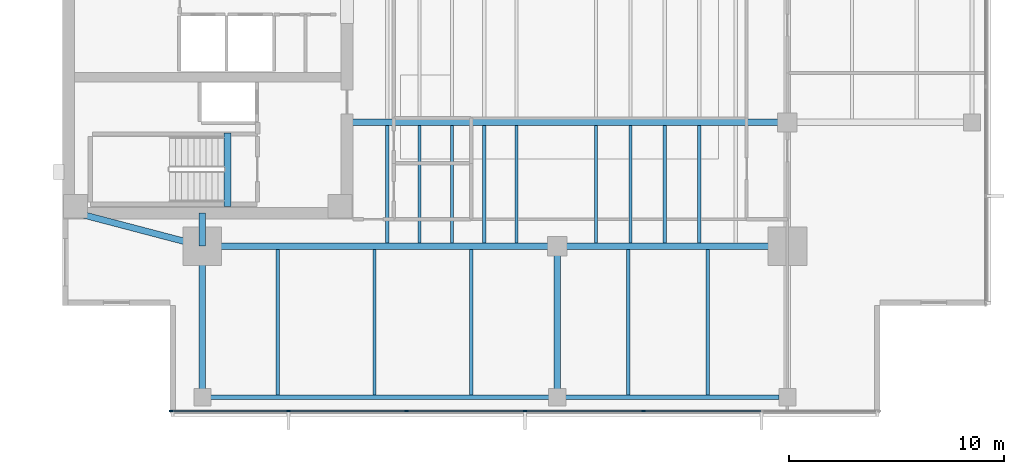
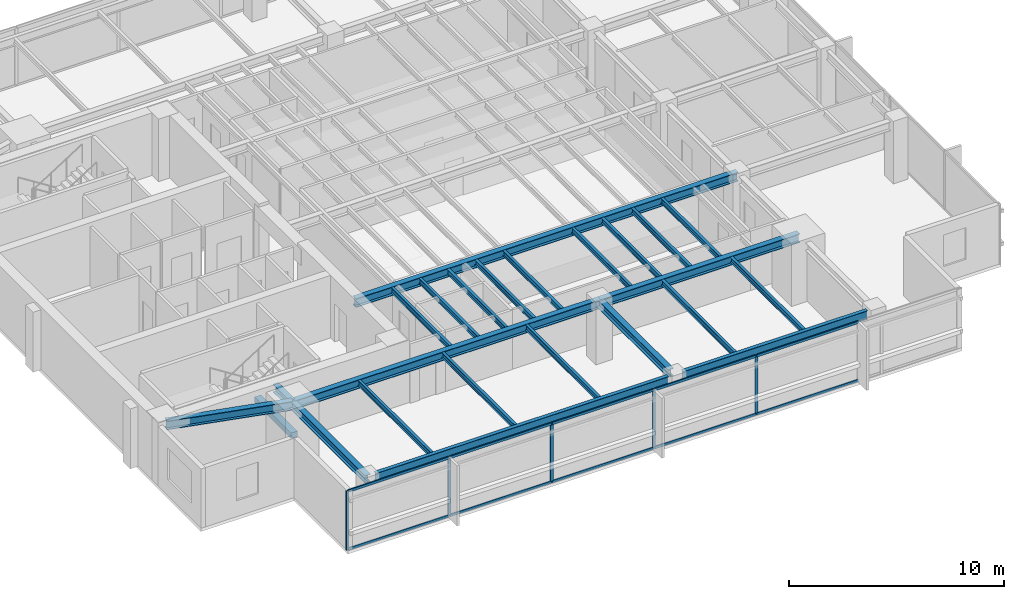
# One storey, part 2 of 14: 24 beams, 15 members, 1 element without a shape of its own.
"""IFC4 building model written with IfcOpenShell, lengths in metres."""

from ifc_helpers import new_model, si_unit, direction, frame, origin, origin_2d, place, context, subcontext, project, spatial, rectangle, i_section, extrude, material, layer, layer_set, material_profile, profile_set, type_object, element, aggregate, save


model = new_model("IFC4")

# Units and contexts
model_context = context("Model", 3, precision=1e-05, world=origin(), true_north=direction((0.0, 1.0)))
body_context = subcontext(model_context, "Body", "Model", "MODEL_VIEW")
ifc_project = project(units=[si_unit("LENGTHUNIT", "METRE"), si_unit("AREAUNIT", "SQUARE_METRE"), si_unit("VOLUMEUNIT", "CUBIC_METRE"), si_unit("PLANEANGLEUNIT", "RADIAN"), si_unit("MASSUNIT", "GRAM", prefix="KILO")], contexts=[model_context])

# Site, building, storey
site_placement = place(None, origin())
site = spatial("IfcSite", under=ifc_project, at=site_placement, CompositionType="ELEMENT")
building_placement = place(site_placement, origin())
building = spatial("IfcBuilding", under=site, at=building_placement, Name="Kinhvarn Gate Tower", CompositionType="ELEMENT")
storey_placement = place(building_placement, frame((0.0, 0.0, 202.25)))
storey = spatial("IfcBuildingStorey", under=building, at=storey_placement, Name="L53", CompositionType="ELEMENT", Elevation=202.25)

# Beam
ifc_material_1 = material(Name="Concrete C50/60", Category="concrete")
ifc_material_profile_1 = material_profile(ifc_material_1, rectangle(XDim=0.340087890625, YDim=0.320068359375, at=origin_2d()), Name="RC 340x320")
ifc_profile_set_1 = profile_set([ifc_material_profile_1], Name="Concrete C50/60")
beam_type_1 = type_object("IfcBeamType", Name="BM-LND-500", PredefinedType="BEAM", material=ifc_profile_set_1)
beam_1_placement = place(storey_placement, frame((12.1650390625, 14.60009765625, -0.159912109375), z_axis=(0.0, 1.0, 0.0), x_axis=(-1.0, 0.0, 0.0)))
element("IfcBeam", 1, at=beam_1_placement, inside=storey, type_object=beam_type_1, Name="Stair ST1 Landing Nosing Beam (L53)", PredefinedType="BEAM", context=body_context, shape_type="SweptSolid", body=[
    extrude(rectangle(XDim=0.340087890625, YDim=0.320068359375, at=origin_2d()), origin(), (0.0, 0.0, 1.0), 3.39990234375),
])

# Curtain wall, members
ifc_material_2 = material(Name="Anodised aluminium AW-6063", Category="aluminium")
ifc_layer = layer(ifc_material_2, 0.179931640625)
ifc_layer_set = layer_set([ifc_layer], Name="Anodised aluminium AW-6063")
curtain_wall_type = type_object("IfcCurtainWallType", Name="CW-SYS-3", PredefinedType="NOTDEFINED", material=ifc_layer_set)
curtain_wall_placement = place(storey_placement, origin())
curtain_wall = element("IfcCurtainWall", 2, at=curtain_wall_placement, inside=storey, type_object=curtain_wall_type, Name="Curtain Wall CW3 (L53)", PredefinedType="NOTDEFINED")
ifc_material_profile_2 = material_profile(ifc_material_2, rectangle(XDim=0.06494140625, YDim=0.159912109375, at=origin_2d()), Name="ALU 65x160")
ifc_profile_set_2 = profile_set([ifc_material_profile_2], Name="Anodised aluminium AW-6063")
member_type_1 = type_object("IfcMemberType", Name="CW-MUL-160", PredefinedType="MULLION", material=ifc_profile_set_2)
member_1_placement = place(storey_placement, frame((9.532470703125, 5.090087890625, 0.0), z_axis=(0.0, 0.0, 1.0), x_axis=(0.0, 1.0, 0.0)))
member_1 = element("IfcMember", 3, at=member_1_placement, type_object=member_type_1, Name="CW3 mullion 1", PredefinedType="MULLION", context=body_context, shape_type="SweptSolid", body=[
    extrude(rectangle(XDim=0.06494140625, YDim=0.159912109375, at=origin_2d()), origin(), (0.0, 0.0, 1.0), 3.3701171875),
])
member_2_placement = place(storey_placement, frame((15.0, 5.090087890625, 0.0), z_axis=(0.0, 0.0, 1.0), x_axis=(0.0, 1.0, 0.0)))
member_2 = element("IfcMember", 4, at=member_2_placement, type_object=member_type_1, Name="CW3 mullion 2", PredefinedType="MULLION", context=body_context, shape_type="SweptSolid", body=[
    extrude(rectangle(XDim=0.06494140625, YDim=0.159912109375, at=origin_2d()), origin(), (0.0, 0.0, 1.0), 3.3701171875),
])
member_3_placement = place(storey_placement, frame((20.5, 5.090087890625, 0.0), z_axis=(0.0, 0.0, 1.0), x_axis=(0.0, 1.0, 0.0)))
member_3 = element("IfcMember", 5, at=member_3_placement, type_object=member_type_1, Name="CW3 mullion 3", PredefinedType="MULLION", context=body_context, shape_type="SweptSolid", body=[
    extrude(rectangle(XDim=0.06494140625, YDim=0.159912109375, at=origin_2d()), origin(), (0.0, 0.0, 1.0), 3.3701171875),
])
member_4_placement = place(storey_placement, frame((26.0, 5.090087890625, 0.0), z_axis=(0.0, 0.0, 1.0), x_axis=(0.0, 1.0, 0.0)))
member_4 = element("IfcMember", 6, at=member_4_placement, type_object=member_type_1, Name="CW3 mullion 4", PredefinedType="MULLION", context=body_context, shape_type="SweptSolid", body=[
    extrude(rectangle(XDim=0.06494140625, YDim=0.159912109375, at=origin_2d()), origin(), (0.0, 0.0, 1.0), 3.3701171875),
])
member_5_placement = place(storey_placement, frame((31.5, 5.090087890625, 0.0), z_axis=(0.0, 0.0, 1.0), x_axis=(0.0, 1.0, 0.0)))
member_5 = element("IfcMember", 7, at=member_5_placement, type_object=member_type_1, Name="CW3 mullion 5", PredefinedType="MULLION", context=body_context, shape_type="SweptSolid", body=[
    extrude(rectangle(XDim=0.06494140625, YDim=0.159912109375, at=origin_2d()), origin(), (0.0, 0.0, 1.0), 3.3701171875),
])
ifc_material_profile_3 = material_profile(ifc_material_2, rectangle(XDim=0.070068359375, YDim=0.139892578125, at=origin_2d()), Name="ALU 70x140")
ifc_profile_set_3 = profile_set([ifc_material_profile_3], Name="Anodised aluminium AW-6063")
member_type_2 = type_object("IfcMemberType", Name="CW-TRN-140", PredefinedType="USERDEFINED", material=ifc_profile_set_3)
member_6_placement = place(storey_placement, frame((9.56494140625, 5.090087890625, 0.034912109375), z_axis=(1.0, 0.0, 0.0), x_axis=(0.0, 1.0, 0.0)))
member_6 = element("IfcMember", 8, at=member_6_placement, type_object=member_type_2, Name="CW3 transom 1.1", ObjectType="TRANSOM", PredefinedType="USERDEFINED", context=body_context, shape_type="SweptSolid", body=[
    extrude(rectangle(XDim=0.070068359375, YDim=0.139892578125, at=origin_2d()), origin(), (0.0, 0.0, 1.0), 5.402587890625),
])
member_7_placement = place(storey_placement, frame((9.56494140625, 5.090087890625, 3.3349609375), z_axis=(1.0, 0.0, 0.0), x_axis=(0.0, 1.0, 0.0)))
member_7 = element("IfcMember", 9, at=member_7_placement, type_object=member_type_2, Name="CW3 transom 1.2", ObjectType="TRANSOM", PredefinedType="USERDEFINED", context=body_context, shape_type="SweptSolid", body=[
    extrude(rectangle(XDim=0.070068359375, YDim=0.139892578125, at=origin_2d()), origin(), (0.0, 0.0, 1.0), 5.402587890625),
])
member_8_placement = place(storey_placement, frame((15.032470703125, 5.090087890625, 0.034912109375), z_axis=(1.0, 0.0, 0.0), x_axis=(0.0, 1.0, 0.0)))
member_8 = element("IfcMember", 10, at=member_8_placement, type_object=member_type_2, Name="CW3 transom 2.1", ObjectType="TRANSOM", PredefinedType="USERDEFINED", context=body_context, shape_type="SweptSolid", body=[
    extrude(rectangle(XDim=0.070068359375, YDim=0.139892578125, at=origin_2d()), origin(), (0.0, 0.0, 1.0), 5.43505859375),
])
member_9_placement = place(storey_placement, frame((15.032470703125, 5.090087890625, 3.3349609375), z_axis=(1.0, 0.0, 0.0), x_axis=(0.0, 1.0, 0.0)))
member_9 = element("IfcMember", 11, at=member_9_placement, type_object=member_type_2, Name="CW3 transom 2.2", ObjectType="TRANSOM", PredefinedType="USERDEFINED", context=body_context, shape_type="SweptSolid", body=[
    extrude(rectangle(XDim=0.070068359375, YDim=0.139892578125, at=origin_2d()), origin(), (0.0, 0.0, 1.0), 5.43505859375),
])
member_10_placement = place(storey_placement, frame((20.532470703125, 5.090087890625, 0.034912109375), z_axis=(1.0, 0.0, 0.0), x_axis=(0.0, 1.0, 0.0)))
member_10 = element("IfcMember", 12, at=member_10_placement, type_object=member_type_2, Name="CW3 transom 3.1", ObjectType="TRANSOM", PredefinedType="USERDEFINED", context=body_context, shape_type="SweptSolid", body=[
    extrude(rectangle(XDim=0.070068359375, YDim=0.139892578125, at=origin_2d()), origin(), (0.0, 0.0, 1.0), 5.43505859375),
])
member_11_placement = place(storey_placement, frame((20.532470703125, 5.090087890625, 3.3349609375), z_axis=(1.0, 0.0, 0.0), x_axis=(0.0, 1.0, 0.0)))
member_11 = element("IfcMember", 13, at=member_11_placement, type_object=member_type_2, Name="CW3 transom 3.2", ObjectType="TRANSOM", PredefinedType="USERDEFINED", context=body_context, shape_type="SweptSolid", body=[
    extrude(rectangle(XDim=0.070068359375, YDim=0.139892578125, at=origin_2d()), origin(), (0.0, 0.0, 1.0), 5.43505859375),
])
member_12_placement = place(storey_placement, frame((26.032470703125, 5.090087890625, 0.034912109375), z_axis=(1.0, 0.0, 0.0), x_axis=(0.0, 1.0, 0.0)))
member_12 = element("IfcMember", 14, at=member_12_placement, type_object=member_type_2, Name="CW3 transom 4.1", ObjectType="TRANSOM", PredefinedType="USERDEFINED", context=body_context, shape_type="SweptSolid", body=[
    extrude(rectangle(XDim=0.070068359375, YDim=0.139892578125, at=origin_2d()), origin(), (0.0, 0.0, 1.0), 5.43505859375),
])
member_13_placement = place(storey_placement, frame((26.032470703125, 5.090087890625, 3.3349609375), z_axis=(1.0, 0.0, 0.0), x_axis=(0.0, 1.0, 0.0)))
member_13 = element("IfcMember", 15, at=member_13_placement, type_object=member_type_2, Name="CW3 transom 4.2", ObjectType="TRANSOM", PredefinedType="USERDEFINED", context=body_context, shape_type="SweptSolid", body=[
    extrude(rectangle(XDim=0.070068359375, YDim=0.139892578125, at=origin_2d()), origin(), (0.0, 0.0, 1.0), 5.43505859375),
])
member_14_placement = place(storey_placement, frame((31.532470703125, 5.090087890625, 0.034912109375), z_axis=(1.0, 0.0, 0.0), x_axis=(0.0, 1.0, 0.0)))
member_14 = element("IfcMember", 16, at=member_14_placement, type_object=member_type_2, Name="CW3 transom 5.1", ObjectType="TRANSOM", PredefinedType="USERDEFINED", context=body_context, shape_type="SweptSolid", body=[
    extrude(rectangle(XDim=0.070068359375, YDim=0.139892578125, at=origin_2d()), origin(), (0.0, 0.0, 1.0), 5.43505859375),
])
member_15_placement = place(storey_placement, frame((31.532470703125, 5.090087890625, 3.3349609375), z_axis=(1.0, 0.0, 0.0), x_axis=(0.0, 1.0, 0.0)))
member_15 = element("IfcMember", 17, at=member_15_placement, type_object=member_type_2, Name="CW3 transom 5.2", ObjectType="TRANSOM", PredefinedType="USERDEFINED", context=body_context, shape_type="SweptSolid", body=[
    extrude(rectangle(XDim=0.070068359375, YDim=0.139892578125, at=origin_2d()), origin(), (0.0, 0.0, 1.0), 5.43505859375),
])
aggregate(curtain_wall, [member_1, member_2, member_3, member_4, member_5, member_6, member_7, member_8, member_9, member_10, member_11, member_12, member_13, member_14, member_15])

# Beams
ifc_material_3 = material(Name="Steel S355", Category="steel")
ifc_material_profile_4 = material_profile(ifc_material_3, i_section(OverallWidth=0.300048828125, OverallDepth=0.449951171875, WebThickness=0.013916015625, FlangeThickness=0.02587890625, at=origin_2d()), Name="HEB 450")
ifc_profile_set_4 = profile_set([ifc_material_profile_4], Name="Steel S355")
beam_type_2 = type_object("IfcBeamType", Name="STL-HEB450", PredefinedType="BEAM", material=ifc_profile_set_4)
beam_2_placement = place(storey_placement, frame((11.0, 5.719970703125, 3.14501953125), z_axis=(0.0, 1.0, 0.0), x_axis=(-1.0, 0.0, 0.0)))
element("IfcBeam", 18, at=beam_2_placement, inside=storey, type_object=beam_type_2, Name="Floor Beam PG-13 (L53 MCW-S)", PredefinedType="BEAM", context=body_context, shape_type="SweptSolid", body=[
    extrude(i_section(OverallWidth=0.300048828125, OverallDepth=0.449951171875, WebThickness=0.013916015625, FlangeThickness=0.02587890625, at=origin_2d()), origin(), (0.0, 0.0, 1.0), 7.030029296875),
])
beam_3_placement = place(storey_placement, frame((11.0, 12.75, 3.14501953125), z_axis=(0.0, 1.0, 0.0), x_axis=(-1.0, 0.0, 0.0)))
element("IfcBeam", 19, at=beam_3_placement, inside=storey, type_object=beam_type_2, Name="Floor Beam PG-13 (L53 MCW-CS)", PredefinedType="BEAM", context=body_context, shape_type="SweptSolid", body=[
    extrude(i_section(OverallWidth=0.300048828125, OverallDepth=0.449951171875, WebThickness=0.013916015625, FlangeThickness=0.02587890625, at=origin_2d()), origin(), (0.0, 0.0, 1.0), 1.550048828125),
])
beam_4_placement = place(storey_placement, frame((27.5, 6.10498046875, 3.14501953125), z_axis=(0.0, 1.0, 0.0), x_axis=(-1.0, 0.0, 0.0)))
element("IfcBeam", 20, at=beam_4_placement, inside=storey, type_object=beam_type_2, Name="Floor Beam PG-13 (L53 SP27-S-TIE)", PredefinedType="BEAM", context=body_context, shape_type="SweptSolid", body=[
    extrude(i_section(OverallWidth=0.300048828125, OverallDepth=0.449951171875, WebThickness=0.013916015625, FlangeThickness=0.02587890625, at=origin_2d()), origin(), (0.0, 0.0, 1.0), 6.64501953125),
])
ifc_material_profile_5 = material_profile(ifc_material_3, i_section(OverallWidth=0.300048828125, OverallDepth=0.5, WebThickness=0.014404296875, FlangeThickness=0.028076171875, at=origin_2d()), Name="HEB 500")
ifc_profile_set_5 = profile_set([ifc_material_profile_5], Name="Steel S355")
beam_type_3 = type_object("IfcBeamType", Name="STL-HEB500", PredefinedType="BEAM", material=ifc_profile_set_5)
beam_5_placement = place(storey_placement, frame((11.0, 12.75, 3.1201171875), z_axis=(1.0, 0.0, 0.0), x_axis=(0.0, 1.0, 0.0)))
element("IfcBeam", 21, at=beam_5_placement, inside=storey, type_object=beam_type_3, Name="Floor Beam PG-14 (L53 MG-S1)", PredefinedType="BEAM", context=body_context, shape_type="SweptSolid", body=[
    extrude(i_section(OverallWidth=0.300048828125, OverallDepth=0.5, WebThickness=0.014404296875, FlangeThickness=0.028076171875, at=origin_2d()), origin(), (0.0, 0.0, 1.0), 16.5),
])
beam_6_placement = place(storey_placement, frame((27.5, 12.75, 3.1201171875), z_axis=(1.0, 0.0, 0.0), x_axis=(0.0, 1.0, 0.0)))
element("IfcBeam", 22, at=beam_6_placement, inside=storey, type_object=beam_type_3, Name="Floor Beam PG-14 (L53 MG-S2)", PredefinedType="BEAM", context=body_context, shape_type="SweptSolid", body=[
    extrude(i_section(OverallWidth=0.300048828125, OverallDepth=0.5, WebThickness=0.014404296875, FlangeThickness=0.028076171875, at=origin_2d()), origin(), (0.0, 0.0, 1.0), 10.699951171875),
])
beam_7_placement = place(storey_placement, frame((5.10009765625, 14.300048828125, 3.1201171875), z_axis=(0.967177623957, -0.254101246979, 0.0), x_axis=(0.254101246979, 0.967177623957, 0.0)))
element("IfcBeam", 23, at=beam_7_placement, inside=storey, type_object=beam_type_3, Name="Floor Beam PG-14 (L53 MG-SW-DIAG)", PredefinedType="BEAM", context=body_context, shape_type="SweptSolid", body=[
    extrude(i_section(OverallWidth=0.300048828125, OverallDepth=0.5, WebThickness=0.014404296875, FlangeThickness=0.028076171875, at=origin_2d()), origin(), (0.0, 0.0, 1.0), 6.10009765625),
])
beam_8_placement = place(storey_placement, frame((17.64990234375, 18.5, 3.1201171875), z_axis=(1.0, 0.0, 0.0), x_axis=(0.0, 1.0, 0.0)))
element("IfcBeam", 24, at=beam_8_placement, inside=storey, type_object=beam_type_3, Name="Floor Beam PG-14 (L53 EW1-Y18)", PredefinedType="BEAM", context=body_context, shape_type="SweptSolid", body=[
    extrude(i_section(OverallWidth=0.300048828125, OverallDepth=0.5, WebThickness=0.014404296875, FlangeThickness=0.028076171875, at=origin_2d()), origin(), (0.0, 0.0, 1.0), 20.550048828125),
])
ifc_material_profile_6 = material_profile(ifc_material_3, i_section(OverallWidth=0.14990234375, OverallDepth=0.300048828125, WebThickness=0.007080078125, FlangeThickness=0.0107421875, at=origin_2d()), Name="IPE 300")
ifc_profile_set_6 = profile_set([ifc_material_profile_6], Name="Steel S355")
beam_type_4 = type_object("IfcBeamType", Name="STL-IPE300", PredefinedType="JOIST", material=ifc_profile_set_6)
for number, where, z_axis, x_axis, name in (
    (25, (19.60009765625, 12.89990234375, 3.219970703125), (0.0, 1.0, 0.0), (-1.0, 0.0, 0.0), "Floor Joist SB-02 (L53 JC-X196-0)"),
    (26, (21.10009765625, 12.89990234375, 3.219970703125), (0.0, 1.0, 0.0), (-1.0, 0.0, 0.0), "Floor Joist SB-02 (L53 JC-X211-0)"),
    (27, (22.60009765625, 12.89990234375, 3.219970703125), (0.0, 1.0, 0.0), (-1.0, 0.0, 0.0), "Floor Joist SB-02 (L53 JC-X226-0)"),
    (28, (24.10009765625, 12.89990234375, 3.219970703125), (0.0, 1.0, 0.0), (-1.0, 0.0, 0.0), "Floor Joist SB-02 (L53 JC-X241-0)"),
    (29, (25.60009765625, 12.89990234375, 3.219970703125), (0.0, 1.0, 0.0), (-1.0, 0.0, 0.0), "Floor Joist SB-02 (L53 JC-X256-0)"),
    (30, (29.300048828125, 12.89990234375, 3.219970703125), (0.0, 1.0, 0.0), (-1.0, 0.0, 0.0), "Floor Joist SB-02 (L53 JC-X293-0)"),
    (31, (30.89990234375, 12.89990234375, 3.219970703125), (0.0, 1.0, 0.0), (-1.0, 0.0, 0.0), "Floor Joist SB-02 (L53 JC-X309-0)"),
    (32, (32.5, 12.89990234375, 3.219970703125), (0.0, 1.0, 0.0), (-1.0, 0.0, 0.0), "Floor Joist SB-02 (L53 JC-X325-0)"),
    (33, (34.10009765625, 12.89990234375, 3.219970703125), (0.0, 1.0, 0.0), (-1.0, 0.0, 0.0), "Floor Joist SB-02 (L53 JC-X341-0)"),
):
    element("IfcBeam", number, at=place(storey_placement, frame(where, z_axis=z_axis, x_axis=x_axis)), inside=storey, type_object=beam_type_4, Name=name, PredefinedType="JOIST", context=body_context, shape_type="SweptSolid", body=[
        extrude(i_section(OverallWidth=0.14990234375, OverallDepth=0.300048828125, WebThickness=0.007080078125, FlangeThickness=0.0107421875, at=origin_2d()), origin(), (0.0, 0.0, 1.0), 5.4501953125),
    ])
for number, where, z_axis, x_axis, name in (
    (34, (14.5, 5.820068359375, 3.219970703125), (0.0, 1.0, 0.0), (-1.0, 0.0, 0.0), "Floor Joist SB-02 (L53 JS-X145)"),
    (35, (19.0, 5.820068359375, 3.219970703125), (0.0, 1.0, 0.0), (-1.0, 0.0, 0.0), "Floor Joist SB-02 (L53 JS-X190)"),
    (36, (23.5, 5.820068359375, 3.219970703125), (0.0, 1.0, 0.0), (-1.0, 0.0, 0.0), "Floor Joist SB-02 (L53 JS-X235)"),
    (37, (30.800048828125, 5.820068359375, 3.219970703125), (0.0, 1.0, 0.0), (-1.0, 0.0, 0.0), "Floor Joist SB-02 (L53 JS-X308)"),
    (38, (34.5, 5.820068359375, 3.219970703125), (0.0, 1.0, 0.0), (-1.0, 0.0, 0.0), "Floor Joist SB-02 (L53 JS-X345)"),
):
    element("IfcBeam", number, at=place(storey_placement, frame(where, z_axis=z_axis, x_axis=x_axis)), inside=storey, type_object=beam_type_4, Name=name, PredefinedType="JOIST", context=body_context, shape_type="SweptSolid", body=[
        extrude(i_section(OverallWidth=0.14990234375, OverallDepth=0.300048828125, WebThickness=0.007080078125, FlangeThickness=0.0107421875, at=origin_2d()), origin(), (0.0, 0.0, 1.0), 6.780029296875),
    ])
ifc_material_profile_7 = material_profile(ifc_material_3, i_section(OverallWidth=0.199951171875, OverallDepth=0.5, WebThickness=0.01025390625, FlangeThickness=0.01611328125, at=origin_2d()), Name="IPE 500")
ifc_profile_set_7 = profile_set([ifc_material_profile_7], Name="Steel S355")
beam_type_5 = type_object("IfcBeamType", Name="STL-IPE500", PredefinedType="SPANDREL", material=ifc_profile_set_7)
beam_9_placement = place(storey_placement, frame((11.385009765625, 5.719970703125, 3.1201171875), z_axis=(1.0, 0.0, 0.0), x_axis=(0.0, 1.0, 0.0)))
element("IfcBeam", 39, at=beam_9_placement, inside=storey, type_object=beam_type_5, Name="Floor Spandrel SB-07 (L53 SP-S1)", PredefinedType="SPANDREL", context=body_context, shape_type="SweptSolid", body=[
    extrude(i_section(OverallWidth=0.199951171875, OverallDepth=0.5, WebThickness=0.01025390625, FlangeThickness=0.01611328125, at=origin_2d()), origin(), (0.0, 0.0, 1.0), 15.72998046875),
])
beam_10_placement = place(storey_placement, frame((27.885009765625, 5.719970703125, 3.1201171875), z_axis=(1.0, 0.0, 0.0), x_axis=(0.0, 1.0, 0.0)))
element("IfcBeam", 40, at=beam_10_placement, inside=storey, type_object=beam_type_5, Name="Floor Spandrel SB-07 (L53 SP-S2)", PredefinedType="SPANDREL", context=body_context, shape_type="SweptSolid", body=[
    extrude(i_section(OverallWidth=0.199951171875, OverallDepth=0.5, WebThickness=0.01025390625, FlangeThickness=0.01611328125, at=origin_2d()), origin(), (0.0, 0.0, 1.0), 9.929931640625),
])

save(model, "model.ifc")
